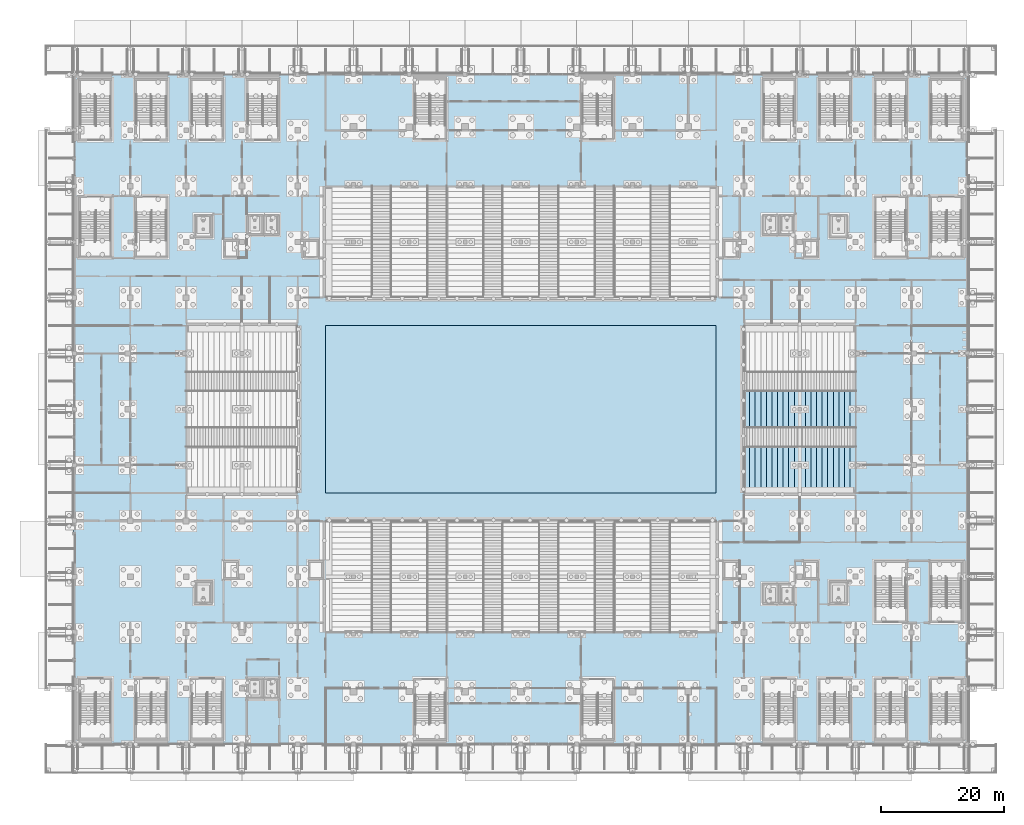
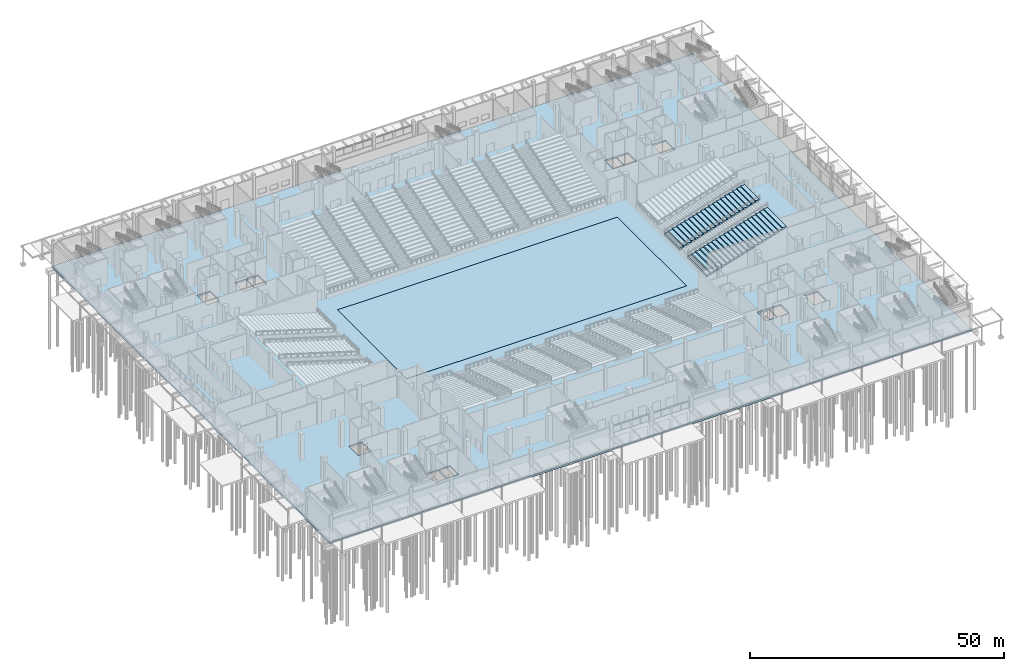
# One storey, part 62 of 129: 4 slabs.
"""IFC4 building model written with IfcOpenShell, lengths in metres."""

from ifc_helpers import new_model, si_unit, direction, frame, origin, place, context, subcontext, project, spatial, polyline, outline, extrude, material, layer, layer_set, type_object, element, save


model = new_model("IFC4")

# Units and contexts
model_context = context("Model", 3, precision=1e-05, world=origin(), true_north=direction((0.0, 1.0)))
body_context = subcontext(model_context, "Body", "Model", "MODEL_VIEW")
ifc_project = project(units=[si_unit("LENGTHUNIT", "METRE"), si_unit("AREAUNIT", "SQUARE_METRE"), si_unit("VOLUMEUNIT", "CUBIC_METRE"), si_unit("PLANEANGLEUNIT", "RADIAN"), si_unit("MASSUNIT", "GRAM", prefix="KILO")], contexts=[model_context])

# Site, building, storey
site_placement = place(None, origin())
site = spatial("IfcSite", under=ifc_project, at=site_placement, CompositionType="ELEMENT")
building_placement = place(site_placement, origin())
building = spatial("IfcBuilding", under=site, at=building_placement, Name="Shirokan Park Arena", CompositionType="ELEMENT")
storey_placement = place(building_placement, origin())
storey = spatial("IfcBuildingStorey", under=building, at=storey_placement, Name="L00", CompositionType="ELEMENT", Elevation=0.0)

# Slabs
ifc_material = material(Name="Concrete C35", Category="concrete")
ifc_layer_1 = layer(ifc_material, 0.449951171875)
ifc_layer_set_1 = layer_set([ifc_layer_1], Name="Concrete C35 450 mm")
slab_type_1 = type_object("IfcSlabType", Name="RC event floor slab 450", PredefinedType="BASESLAB", material=ifc_layer_set_1)
slab_1_placement = place(storey_placement, frame((0.0, 0.0, -0.449951171875)))
element("IfcSlab", 1, at=slab_1_placement, inside=storey, type_object=slab_type_1, Name="Event floor slab", PredefinedType="BASESLAB", context=body_context, shape_type="SweptSolid", body=[
    extrude(outline(polyline([(104.64990234375, 40.949951171875), (104.64990234375, 68.25), (40.949951171875, 68.25), (40.949951171875, 40.949951171875), (104.64990234375, 40.949951171875)])), origin(), (0.0, 0.0, 1.0), 0.449951171875),
])
ifc_layer_2 = layer(ifc_material, 0.39990234375)
ifc_layer_set_2 = layer_set([ifc_layer_2], Name="Concrete C35 400 mm")
slab_type_2 = type_object("IfcSlabType", Name="RC ground slab 400", PredefinedType="BASESLAB", material=ifc_layer_set_2)
slab_2_placement = place(storey_placement, frame((0.0, 0.0, -0.39990234375)))
element("IfcSlab", 2, at=slab_2_placement, inside=storey, type_object=slab_type_2, Name="Ground slab L00", PredefinedType="BASESLAB", context=body_context, shape_type="SweptSolid", body=[
    extrude(outline(polyline([(-0.199951171875, 109.39990234375), (145.800048828125, 109.39990234375), (145.800048828125, -0.199951171875), (-0.199951171875, -0.199951171875), (-0.199951171875, 109.39990234375)]), holes=[polyline([(40.949951171875, 68.25), (40.949951171875, 40.949951171875), (104.64990234375, 40.949951171875), (104.64990234375, 68.25), (40.949951171875, 68.25)]), polyline([(28.10009765625, 10.75), (28.10009765625, 7.35009765625), (30.699951171875, 7.35009765625), (30.699951171875, 10.75), (28.10009765625, 10.75)]), polyline([(33.39990234375, 10.75), (30.800048828125, 10.75), (30.800048828125, 7.35009765625), (33.39990234375, 7.35009765625), (33.39990234375, 10.75)]), polyline([(22.5, 26.60009765625), (19.5, 26.60009765625), (19.5, 22.800048828125), (22.5, 22.800048828125), (22.5, 26.60009765625)]), polyline([(19.5, 86.39990234375), (19.5, 82.60009765625), (22.5, 82.60009765625), (22.5, 86.39990234375), (19.5, 86.39990234375)]), polyline([(30.699951171875, 86.39990234375), (28.10009765625, 86.39990234375), (28.10009765625, 83.0), (30.699951171875, 83.0), (30.699951171875, 86.39990234375)]), polyline([(33.39990234375, 86.39990234375), (30.800048828125, 86.39990234375), (30.800048828125, 83.0), (33.39990234375, 83.0), (33.39990234375, 86.39990234375)]), polyline([(112.199951171875, 26.199951171875), (112.199951171875, 22.800048828125), (114.800048828125, 22.800048828125), (114.800048828125, 26.199951171875), (112.199951171875, 26.199951171875)]), polyline([(117.5, 26.199951171875), (114.89990234375, 26.199951171875), (114.89990234375, 22.800048828125), (117.5, 22.800048828125), (117.5, 26.199951171875)]), polyline([(126.10009765625, 26.60009765625), (123.10009765625, 26.60009765625), (123.10009765625, 22.800048828125), (126.10009765625, 22.800048828125), (126.10009765625, 26.60009765625)]), polyline([(123.10009765625, 86.39990234375), (123.10009765625, 82.60009765625), (126.10009765625, 82.60009765625), (126.10009765625, 86.39990234375), (123.10009765625, 86.39990234375)]), polyline([(114.800048828125, 86.39990234375), (112.199951171875, 86.39990234375), (112.199951171875, 83.0), (114.800048828125, 83.0), (114.800048828125, 86.39990234375)]), polyline([(117.5, 86.39990234375), (114.89990234375, 86.39990234375), (114.89990234375, 83.0), (117.5, 83.0), (117.5, 86.39990234375)])]), origin(), (0.0, 0.0, 1.0), 0.39990234375),
])
ifc_layer_3 = layer(ifc_material, 0.199951171875)
ifc_layer_set_3 = layer_set([ifc_layer_3], Name="Concrete C35 200 mm")
slab_type_3 = type_object("IfcSlabType", Name="RC seating tier lower 200", PredefinedType="USERDEFINED", material=ifc_layer_set_3)
slab_3_placement = place(storey_placement, frame((109.199951171875, 44.699951171875, 1.050048828125), z_axis=(0.0, 0.0, 1.0), x_axis=(1.0, 0.0, 0.0)))
element("IfcSlab", 3, at=slab_3_placement, inside=storey, type_object=slab_type_3, Name="Stand lower E 1", ObjectType="SEATING TIER", PredefinedType="USERDEFINED", context=body_context, shape_type="SweptSolid", body=[
    extrude(outline(polyline([(0.0, 0.0), (0.909912109375, 0.0), (0.909912109375, 0.280029296875), (1.820068359375, 0.280029296875), (1.820068359375, 0.56005859375), (2.72998046875, 0.56005859375), (2.72998046875, 0.840087890625), (3.639892578125, 0.840087890625), (3.639892578125, 1.1201171875), (4.550048828125, 1.1201171875), (4.550048828125, 1.39990234375), (5.4599609375, 1.39990234375), (5.4599609375, 1.679931640625), (6.3701171875, 1.679931640625), (6.3701171875, 1.9599609375), (7.280029296875, 1.9599609375), (7.280029296875, 2.239990234375), (8.18994140625, 2.239990234375), (8.18994140625, 2.52001953125), (9.10009765625, 2.52001953125), (9.10009765625, 2.800048828125), (10.010009765625, 2.800048828125), (10.010009765625, 3.080078125), (10.919921875, 3.080078125), (10.919921875, 3.360107421875), (11.830078125, 3.360107421875), (11.830078125, 3.639892578125), (12.739990234375, 3.639892578125), (12.739990234375, 3.919921875), (13.64990234375, 3.919921875), (13.64990234375, 4.199951171875), (14.56005859375, 4.199951171875), (14.56005859375, 4.47998046875), (15.469970703125, 4.47998046875), (15.469970703125, 4.760009765625), (16.3798828125, 4.760009765625), (16.3798828125, 5.0400390625), (17.2900390625, 5.0400390625), (17.2900390625, 5.320068359375), (18.199951171875, 5.320068359375), (18.199951171875, 5.11083984375), (0.0, -0.4892578125), (0.0, 0.0)])), frame((0.0, 3.75, 0.0), z_axis=(0.0, -1.0, 0.0), x_axis=(1.0, 0.0, 0.0)), (0.0, 0.0, 1.0), 7.5),
])
slab_4_placement = place(storey_placement, frame((109.199951171875, 54.60009765625, 1.050048828125), z_axis=(0.0, 0.0, 1.0), x_axis=(1.0, 0.0, 0.0)))
element("IfcSlab", 4, at=slab_4_placement, inside=storey, type_object=slab_type_3, Name="Stand lower E 2", ObjectType="SEATING TIER", PredefinedType="USERDEFINED", context=body_context, shape_type="SweptSolid", body=[
    extrude(outline(polyline([(0.0, 0.0), (0.909912109375, 0.0), (0.909912109375, 0.280029296875), (1.820068359375, 0.280029296875), (1.820068359375, 0.56005859375), (2.72998046875, 0.56005859375), (2.72998046875, 0.840087890625), (3.639892578125, 0.840087890625), (3.639892578125, 1.1201171875), (4.550048828125, 1.1201171875), (4.550048828125, 1.39990234375), (5.4599609375, 1.39990234375), (5.4599609375, 1.679931640625), (6.3701171875, 1.679931640625), (6.3701171875, 1.9599609375), (7.280029296875, 1.9599609375), (7.280029296875, 2.239990234375), (8.18994140625, 2.239990234375), (8.18994140625, 2.52001953125), (9.10009765625, 2.52001953125), (9.10009765625, 2.800048828125), (10.010009765625, 2.800048828125), (10.010009765625, 3.080078125), (10.919921875, 3.080078125), (10.919921875, 3.360107421875), (11.830078125, 3.360107421875), (11.830078125, 3.639892578125), (12.739990234375, 3.639892578125), (12.739990234375, 3.919921875), (13.64990234375, 3.919921875), (13.64990234375, 4.199951171875), (14.56005859375, 4.199951171875), (14.56005859375, 4.47998046875), (15.469970703125, 4.47998046875), (15.469970703125, 4.760009765625), (16.3798828125, 4.760009765625), (16.3798828125, 5.0400390625), (17.2900390625, 5.0400390625), (17.2900390625, 5.320068359375), (18.199951171875, 5.320068359375), (18.199951171875, 5.11083984375), (0.0, -0.4892578125), (0.0, 0.0)])), frame((0.0, 2.949951171875, 0.0), z_axis=(0.0, -1.0, 0.0), x_axis=(1.0, 0.0, 0.0)), (0.0, 0.0, 1.0), 5.89990234375),
])

save(model, "model.ifc")
